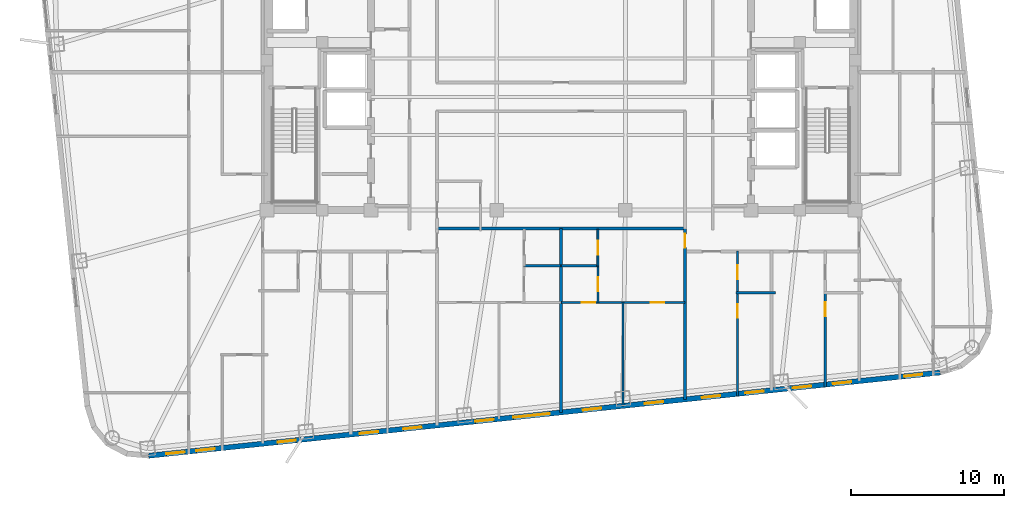
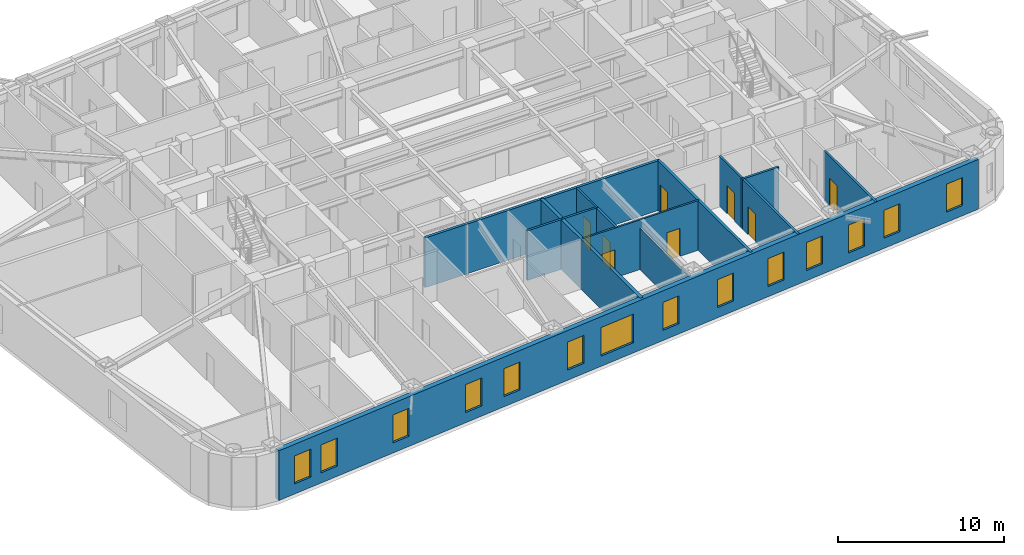
# One storey, part 5 of 12: 14 walls, 14 windows, 8 doors, 22 openings.
"""IFC4 building model written with IfcOpenShell, lengths in metres."""

from ifc_helpers import new_model, si_unit, direction, frame, frame_2d, origin, place, context, subcontext, project, spatial, rectangle, extrude, material, layer, layer_set, type_object, element, fill, save


model = new_model("IFC4")

# Units and contexts
model_context = context("Model", 3, precision=1e-05, world=origin(), true_north=direction((0.0, 1.0)))
body_context = subcontext(model_context, "Body", "Model", "MODEL_VIEW")
ifc_project = project(units=[si_unit("LENGTHUNIT", "METRE"), si_unit("AREAUNIT", "SQUARE_METRE"), si_unit("VOLUMEUNIT", "CUBIC_METRE"), si_unit("PLANEANGLEUNIT", "RADIAN"), si_unit("MASSUNIT", "GRAM", prefix="KILO")], contexts=[model_context])

# Site, building, storey
site_placement = place(None, origin())
site = spatial("IfcSite", under=ifc_project, at=site_placement, CompositionType="ELEMENT")
building_placement = place(site_placement, origin())
building = spatial("IfcBuilding", under=site, at=building_placement, Name="Voryun Gate Residences", CompositionType="ELEMENT")
storey_placement = place(building_placement, frame((0.0, 0.0, 167.699951171875)))
storey = spatial("IfcBuildingStorey", under=building, at=storey_placement, Name="L41", CompositionType="ELEMENT", Elevation=167.699951171875)

# Wall
ifc_material_1 = material(Name="Gypsum acoustic fireboard")
ifc_layer_1 = layer(ifc_material_1, 0.179931640625, Name="W_CORR_RATED_180")
ifc_layer_set_1 = layer_set([ifc_layer_1], Name="Gypsum acoustic fireboard")
wall_type_1 = type_object("IfcWallType", Name="W_CORR_RATED_180", PredefinedType="PARTITIONING", material=ifc_layer_set_1)
wall_1_placement = place(storey_placement, frame((-8.14990234375, -8.590087890625, 0.0), z_axis=(0.0, 0.0, 1.0), x_axis=(1.0, 0.0, 0.0)))
element("IfcWall", 1, at=wall_1_placement, inside=storey, type_object=wall_type_1, Name="Partition wall WP-L41-Z2S", PredefinedType="PARTITIONING", context=body_context, shape_type="SweptSolid", body=[
    extrude(rectangle(XDim=16.2998046875, YDim=0.179931640625, at=frame_2d((8.14990234375, 0.0))), origin(), (0.0, 0.0, 1.0), 3.650146484375),
])

# Wall, opening, door
wall_2_placement = place(storey_placement, frame((8.10009765625, -19.75390625, 0.0), z_axis=(0.0, 0.0, 1.0), x_axis=(0.0, 1.0, 0.0)))
wall_2 = element("IfcWall", 2, at=wall_2_placement, inside=storey, type_object=wall_type_1, Name="Partition wall WP-L41-SZV-2", PredefinedType="PARTITIONING", context=body_context, shape_type="SweptSolid", body=[
    extrude(rectangle(XDim=11.163818359375, YDim=0.179931640625, at=frame_2d((5.58203125, 0.0))), origin(), (0.0, 0.0, 1.0), 3.650146484375),
])
opening_1_placement = place(wall_2_placement, frame((9.913330078125, 0.0, 0.0)))
opening_1 = element("IfcOpeningElement", 3, at=opening_1_placement, cuts=wall_2, Name="Opening D-INT-2", PredefinedType="OPENING", context=body_context, shape_type="SweptSolid", body=[
    extrude(rectangle(XDim=0.89990234375, YDim=2.050048828125, at=frame_2d((0.449951171875, 1.02490234375))), frame((0.0, 0.099853515625, 0.0), z_axis=(0.0, -1.0, 0.0), x_axis=(1.0, 0.0, 0.0)), (0.0, 0.0, 1.0), 0.199951171875),
])
ifc_material_2 = material(Name="Architectural oak veneer")
door_type = type_object("IfcDoorType", Name="DR_INT_BATH_900", OperationType="NOTDEFINED", PredefinedType="DOOR", material=ifc_material_2)
door_1_placement = place(opening_1_placement, origin())
door_1 = element("IfcDoor", 4, at=door_1_placement, inside=storey, type_object=door_type, Name="Door DR-L41-SZENT-2", OperationType="SINGLE_SWING_RIGHT", OverallHeight=2.050048828125, OverallWidth=0.89990234375, PredefinedType="DOOR", context=body_context, shape_type="SweptSolid", body=[
    extrude(rectangle(XDim=0.89990234375, YDim=2.050048828125, at=frame_2d((0.449951171875, 1.02490234375))), frame((0.0, 0.02490234375, 0.0), z_axis=(0.0, -1.0, 0.0), x_axis=(1.0, 0.0, 0.0)), (0.0, 0.0, 1.0), 0.050048828125),
])
fill(opening_1, door_1)

# Wall, openings, windows
ifc_material_3 = material(Name="Charcoal terracotta masonry", Category="masonry")
ifc_layer_2 = layer(ifc_material_3, 0.340087890625, Name="W_EXT_TERRACOTTA_340")
ifc_layer_set_2 = layer_set([ifc_layer_2], Name="Charcoal terracotta masonry")
wall_type_2 = type_object("IfcWallType", Name="W_EXT_TERRACOTTA_340", PredefinedType="ELEMENTEDWALL", material=ifc_layer_set_2)
wall_3_placement = place(storey_placement, frame((24.755615234375, -18.003173828125, 0.0), z_axis=(0.0, 0.0, 1.0), x_axis=(-0.99452160744, -0.104531202687, 0.0)))
wall_3 = element("IfcWall", 5, at=wall_3_placement, inside=storey, type_object=wall_type_2, Name="Exterior wall WEXT-L41-01", PredefinedType="ELEMENTEDWALL", context=body_context, shape_type="SweptSolid", body=[
    extrude(rectangle(XDim=51.966552734375, YDim=0.340087890625, at=frame_2d((25.9833984375, 0.0))), origin(), (0.0, 0.0, 1.0), 3.650146484375),
])
opening_2_placement = place(wall_3_placement, frame((25.63330078125, 0.0, 0.75)))
opening_2 = element("IfcOpeningElement", 6, at=opening_2_placement, cuts=wall_3, Name="Opening WN2", PredefinedType="OPENING", context=body_context, shape_type="SweptSolid", body=[
    extrude(rectangle(XDim=2.39990234375, YDim=2.10009765625, at=frame_2d((1.199951171875, 1.050048828125))), frame((0.0, 0.179931640625, 0.0), z_axis=(0.0, -1.0, 0.0), x_axis=(1.0, 0.0, 0.0)), (0.0, 0.0, 1.0), 0.360107421875),
])
opening_3_placement = place(wall_3_placement, frame((42.301025390625, 0.0, 0.75)))
opening_3 = element("IfcOpeningElement", 7, at=opening_3_placement, cuts=wall_3, Name="Opening WN6", PredefinedType="OPENING", context=body_context, shape_type="SweptSolid", body=[
    extrude(rectangle(XDim=1.199951171875, YDim=2.050048828125, at=frame_2d((0.60009765625, 1.02490234375))), frame((0.0, 0.179931640625, 0.0), z_axis=(0.0, -1.0, 0.0), x_axis=(1.0, 0.0, 0.0)), (0.0, 0.0, 1.0), 0.360107421875),
])
opening_4_placement = place(wall_3_placement, frame((34.048583984375, 0.0, 0.75)))
opening_4 = element("IfcOpeningElement", 8, at=opening_4_placement, cuts=wall_3, Name="Opening WN6", PredefinedType="OPENING", context=body_context, shape_type="SweptSolid", body=[
    extrude(rectangle(XDim=1.199951171875, YDim=2.050048828125, at=frame_2d((0.60009765625, 1.02490234375))), frame((0.0, 0.179931640625, 0.0), z_axis=(0.0, -1.0, 0.0), x_axis=(1.0, 0.0, 0.0)), (0.0, 0.0, 1.0), 0.360107421875),
])
opening_5_placement = place(wall_3_placement, frame((36.89404296875, 0.0, 0.75)))
opening_5 = element("IfcOpeningElement", 9, at=opening_5_placement, cuts=wall_3, Name="Opening WN6", PredefinedType="OPENING", context=body_context, shape_type="SweptSolid", body=[
    extrude(rectangle(XDim=1.199951171875, YDim=2.050048828125, at=frame_2d((0.60009765625, 1.02490234375))), frame((0.0, 0.179931640625, 0.0), z_axis=(0.0, -1.0, 0.0), x_axis=(1.0, 0.0, 0.0)), (0.0, 0.0, 1.0), 0.360107421875),
])
opening_6_placement = place(wall_3_placement, frame((14.43603515625, 0.0, 0.75)))
opening_6 = element("IfcOpeningElement", 10, at=opening_6_placement, cuts=wall_3, Name="Opening WN6", PredefinedType="OPENING", context=body_context, shape_type="SweptSolid", body=[
    extrude(rectangle(XDim=1.199951171875, YDim=2.050048828125, at=frame_2d((0.60009765625, 1.02490234375))), frame((0.0, 0.179931640625, 0.0), z_axis=(0.0, -1.0, 0.0), x_axis=(1.0, 0.0, 0.0)), (0.0, 0.0, 1.0), 0.360107421875),
])
opening_7_placement = place(wall_3_placement, frame((11.590576171875, 0.0, 0.75)))
opening_7 = element("IfcOpeningElement", 11, at=opening_7_placement, cuts=wall_3, Name="Opening WN6", PredefinedType="OPENING", context=body_context, shape_type="SweptSolid", body=[
    extrude(rectangle(XDim=1.199951171875, YDim=2.050048828125, at=frame_2d((0.60009765625, 1.02490234375))), frame((0.0, 0.179931640625, 0.0), z_axis=(0.0, -1.0, 0.0), x_axis=(1.0, 0.0, 0.0)), (0.0, 0.0, 1.0), 0.360107421875),
])
opening_8_placement = place(wall_3_placement, frame((8.46923828125, 0.0, 0.75)))
opening_8 = element("IfcOpeningElement", 12, at=opening_8_placement, cuts=wall_3, Name="Opening WN6", PredefinedType="OPENING", context=body_context, shape_type="SweptSolid", body=[
    extrude(rectangle(XDim=1.199951171875, YDim=2.050048828125, at=frame_2d((0.60009765625, 1.02490234375))), frame((0.0, 0.179931640625, 0.0), z_axis=(0.0, -1.0, 0.0), x_axis=(1.0, 0.0, 0.0)), (0.0, 0.0, 1.0), 0.360107421875),
])
opening_9_placement = place(wall_3_placement, frame((5.83349609375, 0.0, 0.75)))
opening_9 = element("IfcOpeningElement", 13, at=opening_9_placement, cuts=wall_3, Name="Opening WN6", PredefinedType="OPENING", context=body_context, shape_type="SweptSolid", body=[
    extrude(rectangle(XDim=1.199951171875, YDim=2.050048828125, at=frame_2d((0.60009765625, 1.02490234375))), frame((0.0, 0.179931640625, 0.0), z_axis=(0.0, -1.0, 0.0), x_axis=(1.0, 0.0, 0.0)), (0.0, 0.0, 1.0), 0.360107421875),
])
opening_10_placement = place(wall_3_placement, frame((29.31298828125, 0.0, 0.75)))
opening_10 = element("IfcOpeningElement", 14, at=opening_10_placement, cuts=wall_3, Name="Opening WN6", PredefinedType="OPENING", context=body_context, shape_type="SweptSolid", body=[
    extrude(rectangle(XDim=1.199951171875, YDim=2.050048828125, at=frame_2d((0.60009765625, 1.02490234375))), frame((0.0, 0.179931640625, 0.0), z_axis=(0.0, -1.0, 0.0), x_axis=(1.0, 0.0, 0.0)), (0.0, 0.0, 1.0), 0.360107421875),
])
opening_11_placement = place(wall_3_placement, frame((22.248291015625, 0.0, 0.75)))
opening_11 = element("IfcOpeningElement", 15, at=opening_11_placement, cuts=wall_3, Name="Opening WN6", PredefinedType="OPENING", context=body_context, shape_type="SweptSolid", body=[
    extrude(rectangle(XDim=1.199951171875, YDim=2.050048828125, at=frame_2d((0.60009765625, 1.02490234375))), frame((0.0, 0.179931640625, 0.0), z_axis=(0.0, -1.0, 0.0), x_axis=(1.0, 0.0, 0.0)), (0.0, 0.0, 1.0), 0.360107421875),
])
opening_12_placement = place(wall_3_placement, frame((18.18603515625, 0.0, 0.75)))
opening_12 = element("IfcOpeningElement", 16, at=opening_12_placement, cuts=wall_3, Name="Opening WN6", PredefinedType="OPENING", context=body_context, shape_type="SweptSolid", body=[
    extrude(rectangle(XDim=1.199951171875, YDim=2.050048828125, at=frame_2d((0.60009765625, 1.02490234375))), frame((0.0, 0.179931640625, 0.0), z_axis=(0.0, -1.0, 0.0), x_axis=(1.0, 0.0, 0.0)), (0.0, 0.0, 1.0), 0.360107421875),
])
opening_13_placement = place(wall_3_placement, frame((47.62744140625, 0.0, 0.75)))
opening_13 = element("IfcOpeningElement", 17, at=opening_13_placement, cuts=wall_3, Name="Opening WN6", PredefinedType="OPENING", context=body_context, shape_type="SweptSolid", body=[
    extrude(rectangle(XDim=1.199951171875, YDim=2.050048828125, at=frame_2d((0.60009765625, 1.02490234375))), frame((0.0, 0.179931640625, 0.0), z_axis=(0.0, -1.0, 0.0), x_axis=(1.0, 0.0, 0.0)), (0.0, 0.0, 1.0), 0.360107421875),
])
opening_14_placement = place(wall_3_placement, frame((49.5986328125, 0.0, 0.75)))
opening_14 = element("IfcOpeningElement", 18, at=opening_14_placement, cuts=wall_3, Name="Opening WN6", PredefinedType="OPENING", context=body_context, shape_type="SweptSolid", body=[
    extrude(rectangle(XDim=1.199951171875, YDim=2.050048828125, at=frame_2d((0.60009765625, 1.02490234375))), frame((0.0, 0.179931640625, 0.0), z_axis=(0.0, -1.0, 0.0), x_axis=(1.0, 0.0, 0.0)), (0.0, 0.0, 1.0), 0.360107421875),
])
opening_15_placement = place(wall_3_placement, frame((1.170166015625, 0.0, 0.75)))
opening_15 = element("IfcOpeningElement", 19, at=opening_15_placement, cuts=wall_3, Name="Opening WN6", PredefinedType="OPENING", context=body_context, shape_type="SweptSolid", body=[
    extrude(rectangle(XDim=1.199951171875, YDim=2.050048828125, at=frame_2d((0.60009765625, 1.02490234375))), frame((0.0, 0.179931640625, 0.0), z_axis=(0.0, -1.0, 0.0), x_axis=(1.0, 0.0, 0.0)), (0.0, 0.0, 1.0), 0.360107421875),
])
ifc_material_4 = material(Name="Laminated low-E glass", Category="glass")
window_type_1 = type_object("IfcWindowType", Name="WN_POD_SLOT_1200", PartitioningType="SINGLE_PANEL", PredefinedType="WINDOW", material=ifc_material_4)
window_1_placement = place(opening_3_placement, origin())
window_1 = element("IfcWindow", 20, at=window_1_placement, inside=storey, type_object=window_type_1, Name="Window WN-L41-DWFIX-10", OverallHeight=2.050048828125, OverallWidth=1.199951171875, PartitioningType="SINGLE_PANEL", PredefinedType="WINDOW", context=body_context, shape_type="SweptSolid", body=[
    extrude(rectangle(XDim=1.199951171875, YDim=2.050048828125, at=frame_2d((0.60009765625, 1.02490234375))), frame((0.0, 0.030029296875, 0.0), z_axis=(0.0, -1.0, 0.0), x_axis=(1.0, 0.0, 0.0)), (0.0, 0.0, 1.0), 0.06005859375),
])
fill(opening_3, window_1)
window_2_placement = place(opening_4_placement, origin())
window_2 = element("IfcWindow", 21, at=window_2_placement, inside=storey, type_object=window_type_1, Name="Window WN-L41-DWFIX-11", OverallHeight=2.050048828125, OverallWidth=1.199951171875, PartitioningType="SINGLE_PANEL", PredefinedType="WINDOW", context=body_context, shape_type="SweptSolid", body=[
    extrude(rectangle(XDim=1.199951171875, YDim=2.050048828125, at=frame_2d((0.60009765625, 1.02490234375))), frame((0.0, 0.030029296875, 0.0), z_axis=(0.0, -1.0, 0.0), x_axis=(1.0, 0.0, 0.0)), (0.0, 0.0, 1.0), 0.06005859375),
])
fill(opening_4, window_2)
window_3_placement = place(opening_5_placement, origin())
window_3 = element("IfcWindow", 22, at=window_3_placement, inside=storey, type_object=window_type_1, Name="Window WN-L41-DWFIX-12", OverallHeight=2.050048828125, OverallWidth=1.199951171875, PartitioningType="SINGLE_PANEL", PredefinedType="WINDOW", context=body_context, shape_type="SweptSolid", body=[
    extrude(rectangle(XDim=1.199951171875, YDim=2.050048828125, at=frame_2d((0.60009765625, 1.02490234375))), frame((0.0, 0.030029296875, 0.0), z_axis=(0.0, -1.0, 0.0), x_axis=(1.0, 0.0, 0.0)), (0.0, 0.0, 1.0), 0.06005859375),
])
fill(opening_5, window_3)
window_4_placement = place(opening_6_placement, origin())
window_4 = element("IfcWindow", 23, at=window_4_placement, inside=storey, type_object=window_type_1, Name="Window WN-L41-DWFIX-13", OverallHeight=2.050048828125, OverallWidth=1.199951171875, PartitioningType="SINGLE_PANEL", PredefinedType="WINDOW", context=body_context, shape_type="SweptSolid", body=[
    extrude(rectangle(XDim=1.199951171875, YDim=2.050048828125, at=frame_2d((0.60009765625, 1.02490234375))), frame((0.0, 0.030029296875, 0.0), z_axis=(0.0, -1.0, 0.0), x_axis=(1.0, 0.0, 0.0)), (0.0, 0.0, 1.0), 0.06005859375),
])
fill(opening_6, window_4)
window_5_placement = place(opening_7_placement, origin())
window_5 = element("IfcWindow", 24, at=window_5_placement, inside=storey, type_object=window_type_1, Name="Window WN-L41-DWFIX-14", OverallHeight=2.050048828125, OverallWidth=1.199951171875, PartitioningType="SINGLE_PANEL", PredefinedType="WINDOW", context=body_context, shape_type="SweptSolid", body=[
    extrude(rectangle(XDim=1.199951171875, YDim=2.050048828125, at=frame_2d((0.60009765625, 1.02490234375))), frame((0.0, 0.030029296875, 0.0), z_axis=(0.0, -1.0, 0.0), x_axis=(1.0, 0.0, 0.0)), (0.0, 0.0, 1.0), 0.06005859375),
])
fill(opening_7, window_5)
window_6_placement = place(opening_8_placement, origin())
window_6 = element("IfcWindow", 25, at=window_6_placement, inside=storey, type_object=window_type_1, Name="Window WN-L41-DWFIX-15", OverallHeight=2.050048828125, OverallWidth=1.199951171875, PartitioningType="SINGLE_PANEL", PredefinedType="WINDOW", context=body_context, shape_type="SweptSolid", body=[
    extrude(rectangle(XDim=1.199951171875, YDim=2.050048828125, at=frame_2d((0.60009765625, 1.02490234375))), frame((0.0, 0.030029296875, 0.0), z_axis=(0.0, -1.0, 0.0), x_axis=(1.0, 0.0, 0.0)), (0.0, 0.0, 1.0), 0.06005859375),
])
fill(opening_8, window_6)
window_7_placement = place(opening_9_placement, origin())
window_7 = element("IfcWindow", 26, at=window_7_placement, inside=storey, type_object=window_type_1, Name="Window WN-L41-DWFIX-16", OverallHeight=2.050048828125, OverallWidth=1.199951171875, PartitioningType="SINGLE_PANEL", PredefinedType="WINDOW", context=body_context, shape_type="SweptSolid", body=[
    extrude(rectangle(XDim=1.199951171875, YDim=2.050048828125, at=frame_2d((0.60009765625, 1.02490234375))), frame((0.0, 0.030029296875, 0.0), z_axis=(0.0, -1.0, 0.0), x_axis=(1.0, 0.0, 0.0)), (0.0, 0.0, 1.0), 0.06005859375),
])
fill(opening_9, window_7)
window_8_placement = place(opening_10_placement, origin())
window_8 = element("IfcWindow", 27, at=window_8_placement, inside=storey, type_object=window_type_1, Name="Window WN-L41-DWFIX-17", OverallHeight=2.050048828125, OverallWidth=1.199951171875, PartitioningType="SINGLE_PANEL", PredefinedType="WINDOW", context=body_context, shape_type="SweptSolid", body=[
    extrude(rectangle(XDim=1.199951171875, YDim=2.050048828125, at=frame_2d((0.60009765625, 1.02490234375))), frame((0.0, 0.030029296875, 0.0), z_axis=(0.0, -1.0, 0.0), x_axis=(1.0, 0.0, 0.0)), (0.0, 0.0, 1.0), 0.06005859375),
])
fill(opening_10, window_8)
window_9_placement = place(opening_11_placement, origin())
window_9 = element("IfcWindow", 28, at=window_9_placement, inside=storey, type_object=window_type_1, Name="Window WN-L41-DWFIX-18", OverallHeight=2.050048828125, OverallWidth=1.199951171875, PartitioningType="SINGLE_PANEL", PredefinedType="WINDOW", context=body_context, shape_type="SweptSolid", body=[
    extrude(rectangle(XDim=1.199951171875, YDim=2.050048828125, at=frame_2d((0.60009765625, 1.02490234375))), frame((0.0, 0.030029296875, 0.0), z_axis=(0.0, -1.0, 0.0), x_axis=(1.0, 0.0, 0.0)), (0.0, 0.0, 1.0), 0.06005859375),
])
fill(opening_11, window_9)
window_10_placement = place(opening_12_placement, origin())
window_10 = element("IfcWindow", 29, at=window_10_placement, inside=storey, type_object=window_type_1, Name="Window WN-L41-DWFIX-19", OverallHeight=2.050048828125, OverallWidth=1.199951171875, PartitioningType="SINGLE_PANEL", PredefinedType="WINDOW", context=body_context, shape_type="SweptSolid", body=[
    extrude(rectangle(XDim=1.199951171875, YDim=2.050048828125, at=frame_2d((0.60009765625, 1.02490234375))), frame((0.0, 0.030029296875, 0.0), z_axis=(0.0, -1.0, 0.0), x_axis=(1.0, 0.0, 0.0)), (0.0, 0.0, 1.0), 0.06005859375),
])
fill(opening_12, window_10)
window_11_placement = place(opening_13_placement, origin())
window_11 = element("IfcWindow", 30, at=window_11_placement, inside=storey, type_object=window_type_1, Name="Window WN-L41-DWFIX-20", OverallHeight=2.050048828125, OverallWidth=1.199951171875, PartitioningType="SINGLE_PANEL", PredefinedType="WINDOW", context=body_context, shape_type="SweptSolid", body=[
    extrude(rectangle(XDim=1.199951171875, YDim=2.050048828125, at=frame_2d((0.60009765625, 1.02490234375))), frame((0.0, 0.030029296875, 0.0), z_axis=(0.0, -1.0, 0.0), x_axis=(1.0, 0.0, 0.0)), (0.0, 0.0, 1.0), 0.06005859375),
])
fill(opening_13, window_11)
window_12_placement = place(opening_14_placement, origin())
window_12 = element("IfcWindow", 31, at=window_12_placement, inside=storey, type_object=window_type_1, Name="Window WN-L41-DWFIX-22", OverallHeight=2.050048828125, OverallWidth=1.199951171875, PartitioningType="SINGLE_PANEL", PredefinedType="WINDOW", context=body_context, shape_type="SweptSolid", body=[
    extrude(rectangle(XDim=1.199951171875, YDim=2.050048828125, at=frame_2d((0.60009765625, 1.02490234375))), frame((0.0, 0.030029296875, 0.0), z_axis=(0.0, -1.0, 0.0), x_axis=(1.0, 0.0, 0.0)), (0.0, 0.0, 1.0), 0.06005859375),
])
fill(opening_14, window_12)
window_13_placement = place(opening_15_placement, origin())
window_13 = element("IfcWindow", 32, at=window_13_placement, inside=storey, type_object=window_type_1, Name="Window WN-L41-DWFIX-26", OverallHeight=2.050048828125, OverallWidth=1.199951171875, PartitioningType="SINGLE_PANEL", PredefinedType="WINDOW", context=body_context, shape_type="SweptSolid", body=[
    extrude(rectangle(XDim=1.199951171875, YDim=2.050048828125, at=frame_2d((0.60009765625, 1.02490234375))), frame((0.0, 0.030029296875, 0.0), z_axis=(0.0, -1.0, 0.0), x_axis=(1.0, 0.0, 0.0)), (0.0, 0.0, 1.0), 0.06005859375),
])
fill(opening_15, window_13)
ifc_material_5 = material(Name="Laminated low-E glass", Category="glass")
window_type_2 = type_object("IfcWindowType", Name="WN_RES_WIDE_2400", PartitioningType="SINGLE_PANEL", PredefinedType="WINDOW", material=ifc_material_5)
window_14_placement = place(opening_2_placement, origin())
window_14 = element("IfcWindow", 33, at=window_14_placement, inside=storey, type_object=window_type_2, Name="Window WN-WEXT-L41-01-02", OverallHeight=2.10009765625, OverallWidth=2.39990234375, PartitioningType="SINGLE_PANEL", PredefinedType="WINDOW", context=body_context, shape_type="SweptSolid", body=[
    extrude(rectangle(XDim=2.39990234375, YDim=2.10009765625, at=frame_2d((1.199951171875, 1.050048828125))), frame((0.0, 0.030029296875, 0.0), z_axis=(0.0, -1.0, 0.0), x_axis=(1.0, 0.0, 0.0)), (0.0, 0.0, 1.0), 0.06005859375),
])
fill(opening_2, window_14)

# Wall
ifc_material_6 = material(Name="Concrete C40/50", Category="concrete")
ifc_layer_3 = layer(ifc_material_6, 0.219970703125, Name="W_PARTY_ACOUSTIC_220")
ifc_layer_set_3 = layer_set([ifc_layer_3], Name="Concrete C40/50")
wall_type_3 = type_object("IfcWallType", Name="W_PARTY_ACOUSTIC_220", PredefinedType="PARTITIONING", material=ifc_layer_set_3)
wall_4_placement = place(storey_placement, frame((0.0, -20.60498046875, 0.0), z_axis=(0.0, 0.0, 1.0), x_axis=(0.0, 1.0, 0.0)))
element("IfcWall", 34, at=wall_4_placement, inside=storey, type_object=wall_type_3, Name="Partition wall WP-L41-SZMID", PredefinedType="PARTITIONING", context=body_context, shape_type="SweptSolid", body=[
    extrude(rectangle(XDim=12.014892578125, YDim=0.219970703125, at=frame_2d((6.00732421875, 0.0))), origin(), (0.0, 0.0, 1.0), 3.650146484375),
])

# Wall, openings, doors
ifc_material_7 = material(Name="Gypsum acoustic partition")
ifc_layer_4 = layer(ifc_material_7, 0.125, Name="W_UNIT_PART_125")
ifc_layer_set_4 = layer_set([ifc_layer_4], Name="Gypsum acoustic partition")
wall_type_4 = type_object("IfcWallType", Name="W_UNIT_PART_125", PredefinedType="PARTITIONING", material=ifc_layer_set_4)
wall_5_placement = place(storey_placement, frame((0.02001953125, -13.429931640625, 0.0), z_axis=(0.0, 0.0, 1.0), x_axis=(1.0, 0.0, 0.0)))
wall_5 = element("IfcWall", 35, at=wall_5_placement, inside=storey, type_object=wall_type_4, Name="Partition wall WP-L41-SC2-HZ", PredefinedType="PARTITIONING", context=body_context, shape_type="SweptSolid", body=[
    extrude(rectangle(XDim=8.06005859375, YDim=0.125, at=frame_2d((4.030029296875, 0.0))), origin(), (0.0, 0.0, 1.0), 3.650146484375),
])
opening_16_placement = place(wall_5_placement, frame((1.3232421875, 0.0, 0.0)))
opening_16 = element("IfcOpeningElement", 36, at=opening_16_placement, cuts=wall_5, Name="Opening D-INT-2", PredefinedType="OPENING", context=body_context, shape_type="SweptSolid", body=[
    extrude(rectangle(XDim=0.89990234375, YDim=2.050048828125, at=frame_2d((0.449951171875, 1.02490234375))), frame((0.0, 0.072509765625, 0.0), z_axis=(0.0, -1.0, 0.0), x_axis=(1.0, 0.0, 0.0)), (0.0, 0.0, 1.0), 0.14501953125),
])
opening_17_placement = place(wall_5_placement, frame((5.8369140625, 0.0, 0.0)))
opening_17 = element("IfcOpeningElement", 37, at=opening_17_placement, cuts=wall_5, Name="Opening D-INT-2", PredefinedType="OPENING", context=body_context, shape_type="SweptSolid", body=[
    extrude(rectangle(XDim=0.89990234375, YDim=2.050048828125, at=frame_2d((0.449951171875, 1.02490234375))), frame((0.0, 0.072509765625, 0.0), z_axis=(0.0, -1.0, 0.0), x_axis=(1.0, 0.0, 0.0)), (0.0, 0.0, 1.0), 0.14501953125),
])
door_2_placement = place(opening_16_placement, origin())
door_2 = element("IfcDoor", 38, at=door_2_placement, inside=storey, type_object=door_type, Name="Door DR-L41-SC2-DMB", OperationType="SINGLE_SWING_LEFT", OverallHeight=2.050048828125, OverallWidth=0.89990234375, PredefinedType="DOOR", context=body_context, shape_type="SweptSolid", body=[
    extrude(rectangle(XDim=0.89990234375, YDim=2.050048828125, at=frame_2d((0.449951171875, 1.02490234375))), frame((0.0, 0.02490234375, 0.0), z_axis=(0.0, -1.0, 0.0), x_axis=(1.0, 0.0, 0.0)), (0.0, 0.0, 1.0), 0.050048828125),
])
fill(opening_16, door_2)
door_3_placement = place(opening_17_placement, origin())
door_3 = element("IfcDoor", 39, at=door_3_placement, inside=storey, type_object=door_type, Name="Door DR-L41-SC2-DBD2", OperationType="SINGLE_SWING_RIGHT", OverallHeight=2.050048828125, OverallWidth=0.89990234375, PredefinedType="DOOR", context=body_context, shape_type="SweptSolid", body=[
    extrude(rectangle(XDim=0.89990234375, YDim=2.050048828125, at=frame_2d((0.449951171875, 1.02490234375))), frame((0.0, 0.02490234375, 0.0), z_axis=(0.0, -1.0, 0.0), x_axis=(1.0, 0.0, 0.0)), (0.0, 0.0, 1.0), 0.050048828125),
])
fill(opening_17, door_3)

# Wall, opening, door
wall_6_placement = place(storey_placement, frame((2.409912109375, -11.06005859375, 0.0), z_axis=(0.0, 0.0, 1.0), x_axis=(0.0, 1.0, 0.0)))
wall_6 = element("IfcWall", 40, at=wall_6_placement, inside=storey, type_object=wall_type_4, Name="Partition wall WP-L41-SC2-VK1", PredefinedType="PARTITIONING", context=body_context, shape_type="SweptSolid", body=[
    extrude(rectangle(XDim=2.41015625, YDim=0.125, at=frame_2d((1.205078125, 0.0))), origin(), (0.0, 0.0, 1.0), 3.650146484375),
])
opening_18_placement = place(wall_6_placement, frame((0.7548828125, 0.0, 0.0)))
opening_18 = element("IfcOpeningElement", 41, at=opening_18_placement, cuts=wall_6, Name="Opening D-INT-2", PredefinedType="OPENING", context=body_context, shape_type="SweptSolid", body=[
    extrude(rectangle(XDim=0.89990234375, YDim=2.050048828125, at=frame_2d((0.449951171875, 1.02490234375))), frame((0.0, 0.072509765625, 0.0), z_axis=(0.0, -1.0, 0.0), x_axis=(1.0, 0.0, 0.0)), (0.0, 0.0, 1.0), 0.14501953125),
])
door_4_placement = place(opening_18_placement, origin())
door_4 = element("IfcDoor", 42, at=door_4_placement, inside=storey, type_object=door_type, Name="Door DR-L41-SC2-DK", OperationType="SINGLE_SWING_LEFT", OverallHeight=2.050048828125, OverallWidth=0.89990234375, PredefinedType="DOOR", context=body_context, shape_type="SweptSolid", body=[
    extrude(rectangle(XDim=0.89990234375, YDim=2.050048828125, at=frame_2d((0.449951171875, 1.02490234375))), frame((0.0, 0.02490234375, 0.0), z_axis=(0.0, -1.0, 0.0), x_axis=(1.0, 0.0, 0.0)), (0.0, 0.0, 1.0), 0.050048828125),
])
fill(opening_18, door_4)

# Walls
wall_7_placement = place(storey_placement, frame((4.050048828125, -20.179443359375, 0.0), z_axis=(0.0, 0.0, 1.0), x_axis=(0.0, 1.0, 0.0)))
element("IfcWall", 43, at=wall_7_placement, inside=storey, type_object=wall_type_4, Name="Partition wall WP-L41-SC2-VBD", PredefinedType="PARTITIONING", context=body_context, shape_type="SweptSolid", body=[
    extrude(rectangle(XDim=6.78955078125, YDim=0.125, at=frame_2d((3.394775390625, 0.0))), origin(), (0.0, 0.0, 1.0), 3.0400390625),
])
ifc_material_8 = material(Name="Gypsum moisture-resistant partition")
ifc_layer_5 = layer(ifc_material_8, 0.14990234375, Name="W_WET_PLUMB_150")
ifc_layer_set_5 = layer_set([ifc_layer_5], Name="Gypsum moisture-resistant partition")
wall_type_5 = type_object("IfcWallType", Name="W_WET_PLUMB_150", PredefinedType="PLUMBINGWALL", material=ifc_layer_set_5)
wall_8_placement = place(storey_placement, frame((11.43896484375, -12.800048828125, 0.0), z_axis=(0.0, 0.0, 1.0), x_axis=(1.0, 0.0, 0.0)))
element("IfcWall", 44, at=wall_8_placement, inside=storey, type_object=wall_type_5, Name="Partition wall WP-L41-S4-SKB", PredefinedType="PLUMBINGWALL", context=body_context, shape_type="SweptSolid", body=[
    extrude(rectangle(XDim=2.56103515625, YDim=0.14990234375, at=frame_2d((1.280517578125, 0.0))), origin(), (0.0, 0.0, 1.0), 3.650146484375),
])

# Wall, opening, door
wall_9_placement = place(storey_placement, frame((11.51904296875, -19.545166015625, 0.0), z_axis=(0.0, 0.0, 1.0), x_axis=(0.0, 1.0, 0.0)))
wall_9 = element("IfcWall", 45, at=wall_9_placement, inside=storey, type_object=wall_type_5, Name="Partition wall WP-L41-S4-SVT1", PredefinedType="PLUMBINGWALL", context=body_context, shape_type="SweptSolid", body=[
    extrude(rectangle(XDim=6.78515625, YDim=0.14990234375, at=frame_2d((3.392578125, 0.0))), origin(), (0.0, 0.0, 1.0), 3.650146484375),
])
opening_19_placement = place(wall_9_placement, frame((5.114013671875, 0.0, 0.0)))
opening_19 = element("IfcOpeningElement", 46, at=opening_19_placement, cuts=wall_9, Name="Opening D-INT-2", PredefinedType="OPENING", context=body_context, shape_type="SweptSolid", body=[
    extrude(rectangle(XDim=0.89990234375, YDim=2.050048828125, at=frame_2d((0.449951171875, 1.02490234375))), frame((0.0, 0.0849609375, 0.0), z_axis=(0.0, -1.0, 0.0), x_axis=(1.0, 0.0, 0.0)), (0.0, 0.0, 1.0), 0.169921875),
])
door_5_placement = place(opening_19_placement, origin())
door_5 = element("IfcDoor", 47, at=door_5_placement, inside=storey, type_object=door_type, Name="Door DR-L41-S4-DK", OperationType="SINGLE_SWING_LEFT", OverallHeight=2.050048828125, OverallWidth=0.89990234375, PredefinedType="DOOR", context=body_context, shape_type="SweptSolid", body=[
    extrude(rectangle(XDim=0.89990234375, YDim=2.050048828125, at=frame_2d((0.449951171875, 1.02490234375))), frame((0.0, 0.02490234375, 0.0), z_axis=(0.0, -1.0, 0.0), x_axis=(1.0, 0.0, 0.0)), (0.0, 0.0, 1.0), 0.050048828125),
])
fill(opening_19, door_5)

wall_10_placement = place(storey_placement, frame((11.51904296875, -12.840087890625, 0.0), z_axis=(0.0, 0.0, 1.0), x_axis=(0.0, 1.0, 0.0)))
wall_10 = element("IfcWall", 48, at=wall_10_placement, inside=storey, type_object=wall_type_5, Name="Partition wall WP-L41-S4-SVT2", PredefinedType="PLUMBINGWALL", context=body_context, shape_type="SweptSolid", body=[
    extrude(rectangle(XDim=2.760009765625, YDim=0.14990234375, at=frame_2d((1.3798828125, 0.0))), origin(), (0.0, 0.0, 1.0), 3.650146484375),
])
opening_20_placement = place(wall_10_placement, frame((0.929931640625, 0.0, 0.0)))
opening_20 = element("IfcOpeningElement", 49, at=opening_20_placement, cuts=wall_10, Name="Opening D-INT-2", PredefinedType="OPENING", context=body_context, shape_type="SweptSolid", body=[
    extrude(rectangle(XDim=0.89990234375, YDim=2.050048828125, at=frame_2d((0.449951171875, 1.02490234375))), frame((0.0, 0.0849609375, 0.0), z_axis=(0.0, -1.0, 0.0), x_axis=(1.0, 0.0, 0.0)), (0.0, 0.0, 1.0), 0.169921875),
])
door_6_placement = place(opening_20_placement, origin())
door_6 = element("IfcDoor", 50, at=door_6_placement, inside=storey, type_object=door_type, Name="Door DR-L41-S4-DB", OperationType="SINGLE_SWING_RIGHT", OverallHeight=2.050048828125, OverallWidth=0.89990234375, PredefinedType="DOOR", context=body_context, shape_type="SweptSolid", body=[
    extrude(rectangle(XDim=0.89990234375, YDim=2.050048828125, at=frame_2d((0.449951171875, 1.02490234375))), frame((0.0, 0.02490234375, 0.0), z_axis=(0.0, -1.0, 0.0), x_axis=(1.0, 0.0, 0.0)), (0.0, 0.0, 1.0), 0.050048828125),
])
fill(opening_20, door_6)

wall_11_placement = place(storey_placement, frame((17.25, -18.94287109375, 0.0), z_axis=(0.0, 0.0, 1.0), x_axis=(0.0, 1.0, 0.0)))
wall_11 = element("IfcWall", 51, at=wall_11_placement, inside=storey, type_object=wall_type_5, Name="Partition wall WP-L41-S5-SVT1", PredefinedType="PLUMBINGWALL", context=body_context, shape_type="SweptSolid", body=[
    extrude(rectangle(XDim=6.182861328125, YDim=0.14990234375, at=frame_2d((3.09130859375, 0.0))), origin(), (0.0, 0.0, 1.0), 3.650146484375),
])
opening_21_placement = place(wall_11_placement, frame((4.6201171875, 0.0, 0.0)))
opening_21 = element("IfcOpeningElement", 52, at=opening_21_placement, cuts=wall_11, Name="Opening D-INT-2", PredefinedType="OPENING", context=body_context, shape_type="SweptSolid", body=[
    extrude(rectangle(XDim=0.89990234375, YDim=2.050048828125, at=frame_2d((0.449951171875, 1.02490234375))), frame((0.0, 0.0849609375, 0.0), z_axis=(0.0, -1.0, 0.0), x_axis=(1.0, 0.0, 0.0)), (0.0, 0.0, 1.0), 0.169921875),
])
door_7_placement = place(opening_21_placement, origin())
door_7 = element("IfcDoor", 53, at=door_7_placement, inside=storey, type_object=door_type, Name="Door DR-L41-S5-DK", OperationType="SINGLE_SWING_LEFT", OverallHeight=2.050048828125, OverallWidth=0.89990234375, PredefinedType="DOOR", context=body_context, shape_type="SweptSolid", body=[
    extrude(rectangle(XDim=0.89990234375, YDim=2.050048828125, at=frame_2d((0.449951171875, 1.02490234375))), frame((0.0, 0.02490234375, 0.0), z_axis=(0.0, -1.0, 0.0), x_axis=(1.0, 0.0, 0.0)), (0.0, 0.0, 1.0), 0.050048828125),
])
fill(opening_21, door_7)

# Wall
wall_12_placement = place(storey_placement, frame((-2.449951171875, -11.030029296875, 0.0), z_axis=(0.0, 0.0, 1.0), x_axis=(1.0, 0.0, 0.0)))
element("IfcWall", 54, at=wall_12_placement, inside=storey, type_object=wall_type_5, Name="Partition wall WP-L41-SC1-HKB", PredefinedType="PLUMBINGWALL", context=body_context, shape_type="SweptSolid", body=[
    extrude(rectangle(XDim=2.429931640625, YDim=0.14990234375, at=frame_2d((1.21484375, 0.0))), origin(), (0.0, 0.0, 1.0), 3.650146484375),
])

# Wall, opening, door
wall_13_placement = place(storey_placement, frame((2.409912109375, -13.469970703125, 0.0), z_axis=(0.0, 0.0, 1.0), x_axis=(0.0, 1.0, 0.0)))
wall_13 = element("IfcWall", 55, at=wall_13_placement, inside=storey, type_object=wall_type_5, Name="Partition wall WP-L41-SC2-VK2", PredefinedType="PLUMBINGWALL", context=body_context, shape_type="SweptSolid", body=[
    extrude(rectangle(XDim=2.469970703125, YDim=0.14990234375, at=frame_2d((1.23486328125, 0.0))), origin(), (0.0, 0.0, 1.0), 3.650146484375),
])
opening_22_placement = place(wall_13_placement, frame((0.784912109375, 0.0, 0.0)))
opening_22 = element("IfcOpeningElement", 56, at=opening_22_placement, cuts=wall_13, Name="Opening D-INT-2", PredefinedType="OPENING", context=body_context, shape_type="SweptSolid", body=[
    extrude(rectangle(XDim=0.89990234375, YDim=2.050048828125, at=frame_2d((0.449951171875, 1.02490234375))), frame((0.0, 0.0849609375, 0.0), z_axis=(0.0, -1.0, 0.0), x_axis=(1.0, 0.0, 0.0)), (0.0, 0.0, 1.0), 0.169921875),
])
door_8_placement = place(opening_22_placement, origin())
door_8 = element("IfcDoor", 57, at=door_8_placement, inside=storey, type_object=door_type, Name="Door DR-L41-SC2-DB", OperationType="SINGLE_SWING_RIGHT", OverallHeight=2.050048828125, OverallWidth=0.89990234375, PredefinedType="DOOR", context=body_context, shape_type="SweptSolid", body=[
    extrude(rectangle(XDim=0.89990234375, YDim=2.050048828125, at=frame_2d((0.449951171875, 1.02490234375))), frame((0.0, 0.02490234375, 0.0), z_axis=(0.0, -1.0, 0.0), x_axis=(1.0, 0.0, 0.0)), (0.0, 0.0, 1.0), 0.050048828125),
])
fill(opening_22, door_8)

# Wall
wall_14_placement = place(storey_placement, frame((0.02001953125, -11.030029296875, 0.0), z_axis=(0.0, 0.0, 1.0), x_axis=(1.0, 0.0, 0.0)))
element("IfcWall", 58, at=wall_14_placement, inside=storey, type_object=wall_type_5, Name="Partition wall WP-L41-SC2-HKB", PredefinedType="PLUMBINGWALL", context=body_context, shape_type="SweptSolid", body=[
    extrude(rectangle(XDim=2.429931640625, YDim=0.14990234375, at=frame_2d((1.21484375, 0.0))), origin(), (0.0, 0.0, 1.0), 3.650146484375),
])

save(model, "model.ifc")
